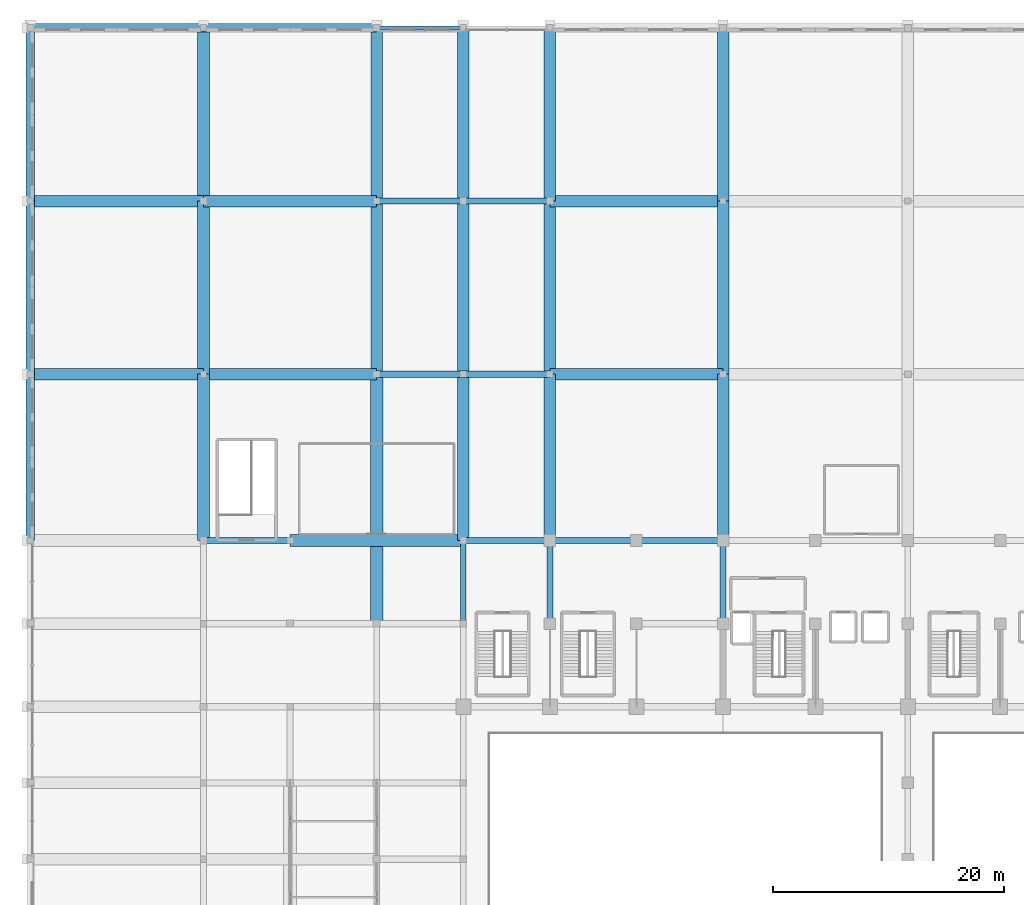
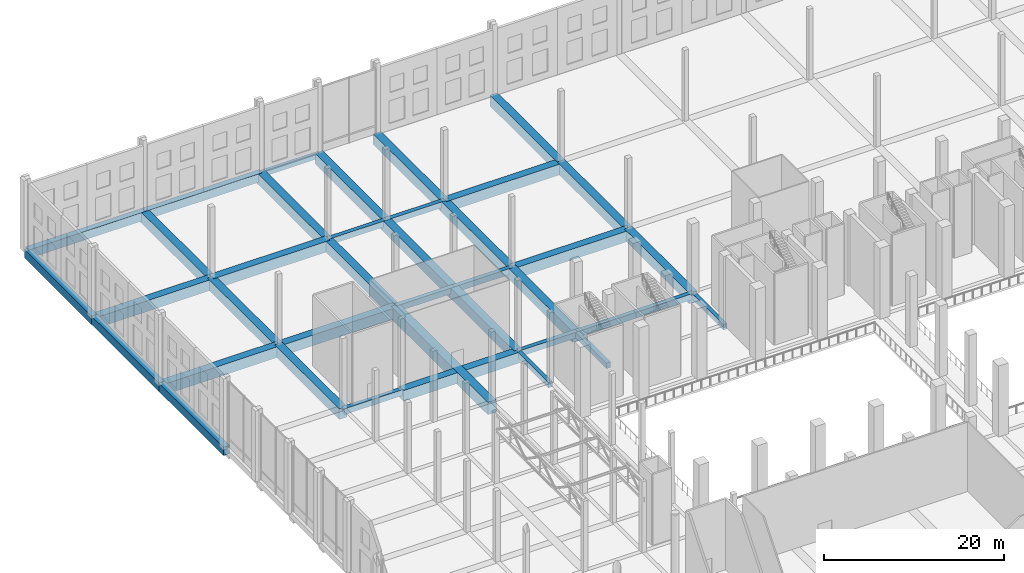
# One storey, part 36 of 80: 39 beams.
"""IFC4 building model written with IfcOpenShell, lengths in metres."""

from ifc_helpers import new_model, si_unit, direction, frame, origin, origin_2d, place, context, subcontext, project, spatial, rectangle, extrude, material, material_profile, profile_set, type_object, element, save


model = new_model("IFC4")

# Units and contexts
model_context = context("Model", 3, precision=1e-05, world=origin(), true_north=direction((0.0, 1.0)))
body_context = subcontext(model_context, "Body", "Model", "MODEL_VIEW")
ifc_project = project(units=[si_unit("LENGTHUNIT", "METRE"), si_unit("AREAUNIT", "SQUARE_METRE"), si_unit("VOLUMEUNIT", "CUBIC_METRE"), si_unit("PLANEANGLEUNIT", "RADIAN"), si_unit("MASSUNIT", "GRAM", prefix="KILO")], contexts=[model_context])

# Site, building, storey
site_placement = place(None, origin())
site = spatial("IfcSite", under=ifc_project, at=site_placement, CompositionType="ELEMENT")
building_placement = place(site_placement, origin())
building = spatial("IfcBuilding", under=site, at=building_placement, Name="Akrevak Sports Hall", CompositionType="ELEMENT")
storey_placement = place(building_placement, frame((0.0, 0.0, 14.0)))
storey = spatial("IfcBuildingStorey", under=building, at=storey_placement, Name="L03", CompositionType="ELEMENT", Elevation=14.0)

# Beams
ifc_material_1 = material(Name="Concrete C50/60", Category="concrete")
ifc_material_profile_1 = material_profile(ifc_material_1, rectangle(XDim=1.0, YDim=1.449951171875, at=origin_2d()), Name="BM 1000x1450", Category="concrete")
ifc_profile_set_1 = profile_set([ifc_material_profile_1], Name="Concrete C50/60")
beam_type_1 = type_object("IfcBeamType", Name="STR-BM-LG1000x1450", PredefinedType="BEAM", material=ifc_profile_set_1)
for number, where, z_axis, x_axis, name in (
    (1, (22.5, 69.60009765625, -0.72509765625), (1.0, 0.0, 0.0), (0.0, 1.0, 0.0), "Girder K/4-6 (L03)"),
    (2, (0.0, 84.0, -0.72509765625), (1.0, 0.0, 0.0), (0.0, 1.0, 0.0), "Girder M/1-3 (L03)"),
    (3, (15.0, 84.0, -0.72509765625), (1.0, 0.0, 0.0), (0.0, 1.0, 0.0), "Girder M/3-5 (L03)"),
    (4, (45.0, 84.0, -0.72509765625), (1.0, 0.0, 0.0), (0.0, 1.0, 0.0), "Girder M/7-9 (L03)"),
    (5, (0.0, 99.0, -0.72509765625), (1.0, 0.0, 0.0), (0.0, 1.0, 0.0), "Girder O/1-3 (L03)"),
    (6, (15.0, 99.0, -0.72509765625), (1.0, 0.0, 0.0), (0.0, 1.0, 0.0), "Girder O/3-5 (L03)"),
    (7, (45.0, 99.0, -0.72509765625), (1.0, 0.0, 0.0), (0.0, 1.0, 0.0), "Girder O/7-9 (L03)"),
):
    element("IfcBeam", number, at=place(storey_placement, frame(where, z_axis=z_axis, x_axis=x_axis)), inside=storey, type_object=beam_type_1, Name=name, PredefinedType="BEAM", context=body_context, shape_type="SweptSolid", body=[
        extrude(rectangle(XDim=1.0, YDim=1.449951171875, at=origin_2d()), origin(), (0.0, 0.0, 1.0), 15.0),
    ])
beam_1_placement = place(storey_placement, frame((15.0, 69.60009765625, -0.72509765625), z_axis=(0.0, 1.0, 0.0), x_axis=(-1.0, 0.0, 0.0)))
element("IfcBeam", 8, at=beam_1_placement, inside=storey, type_object=beam_type_1, Name="Girder 3/K-M (L03)", PredefinedType="BEAM", context=body_context, shape_type="SweptSolid", body=[
    extrude(rectangle(XDim=1.0, YDim=1.449951171875, at=origin_2d()), origin(), (0.0, 0.0, 1.0), 14.39990234375),
])
for number, where, z_axis, x_axis, name in (
    (9, (15.0, 84.0, -0.72509765625), (0.0, 1.0, 0.0), (-1.0, 0.0, 0.0), "Girder 3/M-O (L03)"),
    (10, (15.0, 99.0, -0.72509765625), (0.0, 1.0, 0.0), (-1.0, 0.0, 0.0), "Girder 3/O-Q (L03)"),
    (11, (30.0, 84.0, -0.72509765625), (0.0, 1.0, 0.0), (-1.0, 0.0, 0.0), "Girder 5/M-O (L03)"),
    (12, (30.0, 99.0, -0.72509765625), (0.0, 1.0, 0.0), (-1.0, 0.0, 0.0), "Girder 5/O-Q (L03)"),
):
    element("IfcBeam", number, at=place(storey_placement, frame(where, z_axis=z_axis, x_axis=x_axis)), inside=storey, type_object=beam_type_1, Name=name, PredefinedType="BEAM", context=body_context, shape_type="SweptSolid", body=[
        extrude(rectangle(XDim=1.0, YDim=1.449951171875, at=origin_2d()), origin(), (0.0, 0.0, 1.0), 15.0),
    ])
beam_2_placement = place(storey_placement, frame((37.5, 69.60009765625, -0.72509765625), z_axis=(0.0, 1.0, 0.0), x_axis=(-1.0, 0.0, 0.0)))
element("IfcBeam", 13, at=beam_2_placement, inside=storey, type_object=beam_type_1, Name="Girder 6/K-M (L03)", PredefinedType="BEAM", context=body_context, shape_type="SweptSolid", body=[
    extrude(rectangle(XDim=1.0, YDim=1.449951171875, at=origin_2d()), origin(), (0.0, 0.0, 1.0), 14.39990234375),
])
for number, where, z_axis, x_axis, name in (
    (14, (37.5, 84.0, -0.72509765625), (0.0, 1.0, 0.0), (-1.0, 0.0, 0.0), "Girder 6/M-O (L03)"),
    (15, (37.5, 99.0, -0.72509765625), (0.0, 1.0, 0.0), (-1.0, 0.0, 0.0), "Girder 6/O-Q (L03)"),
):
    element("IfcBeam", number, at=place(storey_placement, frame(where, z_axis=z_axis, x_axis=x_axis)), inside=storey, type_object=beam_type_1, Name=name, PredefinedType="BEAM", context=body_context, shape_type="SweptSolid", body=[
        extrude(rectangle(XDim=1.0, YDim=1.449951171875, at=origin_2d()), origin(), (0.0, 0.0, 1.0), 15.0),
    ])
beam_3_placement = place(storey_placement, frame((45.0, 69.60009765625, -0.72509765625), z_axis=(0.0, 1.0, 0.0), x_axis=(-1.0, 0.0, 0.0)))
element("IfcBeam", 16, at=beam_3_placement, inside=storey, type_object=beam_type_1, Name="Girder 7/K-M (L03)", PredefinedType="BEAM", context=body_context, shape_type="SweptSolid", body=[
    extrude(rectangle(XDim=1.0, YDim=1.449951171875, at=origin_2d()), origin(), (0.0, 0.0, 1.0), 14.39990234375),
])
for number, where, z_axis, x_axis, name in (
    (17, (45.0, 84.0, -0.72509765625), (0.0, 1.0, 0.0), (-1.0, 0.0, 0.0), "Girder 7/M-O (L03)"),
    (18, (45.0, 99.0, -0.72509765625), (0.0, 1.0, 0.0), (-1.0, 0.0, 0.0), "Girder 7/O-Q (L03)"),
):
    element("IfcBeam", number, at=place(storey_placement, frame(where, z_axis=z_axis, x_axis=x_axis)), inside=storey, type_object=beam_type_1, Name=name, PredefinedType="BEAM", context=body_context, shape_type="SweptSolid", body=[
        extrude(rectangle(XDim=1.0, YDim=1.449951171875, at=origin_2d()), origin(), (0.0, 0.0, 1.0), 15.0),
    ])
beam_4_placement = place(storey_placement, frame((60.0, 69.60009765625, -0.72509765625), z_axis=(0.0, 1.0, 0.0), x_axis=(-1.0, 0.0, 0.0)))
element("IfcBeam", 19, at=beam_4_placement, inside=storey, type_object=beam_type_1, Name="Girder 9/K-M (L03)", PredefinedType="BEAM", context=body_context, shape_type="SweptSolid", body=[
    extrude(rectangle(XDim=1.0, YDim=1.449951171875, at=origin_2d()), origin(), (0.0, 0.0, 1.0), 14.39990234375),
])
for number, where, z_axis, x_axis, name in (
    (20, (60.0, 84.0, -0.72509765625), (0.0, 1.0, 0.0), (-1.0, 0.0, 0.0), "Girder 9/M-O (L03)"),
    (21, (60.0, 99.0, -0.72509765625), (0.0, 1.0, 0.0), (-1.0, 0.0, 0.0), "Girder 9/O-Q (L03)"),
):
    element("IfcBeam", number, at=place(storey_placement, frame(where, z_axis=z_axis, x_axis=x_axis)), inside=storey, type_object=beam_type_1, Name=name, PredefinedType="BEAM", context=body_context, shape_type="SweptSolid", body=[
        extrude(rectangle(XDim=1.0, YDim=1.449951171875, at=origin_2d()), origin(), (0.0, 0.0, 1.0), 15.0),
    ])
ifc_material_profile_2 = material_profile(ifc_material_1, rectangle(XDim=1.10009765625, YDim=1.64990234375, at=origin_2d()), Name="BM 1100x1650", Category="concrete")
ifc_profile_set_2 = profile_set([ifc_material_profile_2], Name="Concrete C50/60")
beam_type_2 = type_object("IfcBeamType", Name="STR-BM-LG1100x1650", PredefinedType="BEAM", material=ifc_profile_set_2)
beam_5_placement = place(storey_placement, frame((30.0, 62.39990234375, -0.824951171875), z_axis=(0.0, 1.0, 0.0), x_axis=(-1.0, 0.0, 0.0)))
element("IfcBeam", 22, at=beam_5_placement, inside=storey, type_object=beam_type_2, Name="Girder 5/J-M (L03)", PredefinedType="BEAM", context=body_context, shape_type="SweptSolid", body=[
    extrude(rectangle(XDim=1.10009765625, YDim=1.64990234375, at=origin_2d()), origin(), (0.0, 0.0, 1.0), 21.60009765625),
])
ifc_material_2 = material(Name="Concrete C40/50", Category="concrete")
ifc_material_profile_3 = material_profile(ifc_material_2, rectangle(XDim=0.5, YDim=0.75, at=origin_2d()), Name="BM 500x750", Category="concrete")
ifc_profile_set_3 = profile_set([ifc_material_profile_3], Name="Concrete C40/50")
beam_type_3 = type_object("IfcBeamType", Name="STR-BM-RC500x750", PredefinedType="BEAM", material=ifc_profile_set_3)
for number, where, z_axis, x_axis, name in (
    (23, (37.5, 62.39990234375, -0.375), (0.0, 1.0, 0.0), (-1.0, 0.0, 0.0), "Girder 6/J-K (L03)"),
    (24, (45.0, 62.39990234375, -0.375), (0.0, 1.0, 0.0), (-1.0, 0.0, 0.0), "Girder 7/J-K (L03)"),
    (25, (60.0, 62.39990234375, -0.375), (0.0, 1.0, 0.0), (-1.0, 0.0, 0.0), "Girder 9/J-K (L03)"),
):
    element("IfcBeam", number, at=place(storey_placement, frame(where, z_axis=z_axis, x_axis=x_axis)), inside=storey, type_object=beam_type_3, Name=name, PredefinedType="BEAM", context=body_context, shape_type="SweptSolid", body=[
        extrude(rectangle(XDim=0.5, YDim=0.75, at=origin_2d()), origin(), (0.0, 0.0, 1.0), 7.2001953125),
    ])
ifc_material_profile_4 = material_profile(ifc_material_2, rectangle(XDim=0.550048828125, YDim=0.800048828125, at=origin_2d()), Name="BM 550x800", Category="concrete")
ifc_profile_set_4 = profile_set([ifc_material_profile_4], Name="Concrete C40/50")
beam_type_4 = type_object("IfcBeamType", Name="STR-BM-RC550x800", PredefinedType="BEAM", material=ifc_profile_set_4)
for number, where, z_axis, x_axis, name in (
    (26, (15.0, 69.60009765625, -0.39990234375), (1.0, 0.0, 0.0), (0.0, 1.0, 0.0), "Girder K/3-4 (L03)"),
    (27, (37.5, 69.60009765625, -0.39990234375), (1.0, 0.0, 0.0), (0.0, 1.0, 0.0), "Girder K/6-7 (L03)"),
    (28, (45.0, 69.60009765625, -0.39990234375), (1.0, 0.0, 0.0), (0.0, 1.0, 0.0), "Girder K/7-8 (L03)"),
    (29, (52.5, 69.60009765625, -0.39990234375), (1.0, 0.0, 0.0), (0.0, 1.0, 0.0), "Girder K/8-9 (L03)"),
    (30, (30.0, 84.0, -0.39990234375), (1.0, 0.0, 0.0), (0.0, 1.0, 0.0), "Girder M/5-6 (L03)"),
    (31, (37.5, 84.0, -0.39990234375), (1.0, 0.0, 0.0), (0.0, 1.0, 0.0), "Girder M/6-7 (L03)"),
    (32, (30.0, 99.0, -0.39990234375), (1.0, 0.0, 0.0), (0.0, 1.0, 0.0), "Girder O/5-6 (L03)"),
    (33, (37.5, 99.0, -0.39990234375), (1.0, 0.0, 0.0), (0.0, 1.0, 0.0), "Girder O/6-7 (L03)"),
):
    element("IfcBeam", number, at=place(storey_placement, frame(where, z_axis=z_axis, x_axis=x_axis)), inside=storey, type_object=beam_type_4, Name=name, PredefinedType="BEAM", context=body_context, shape_type="SweptSolid", body=[
        extrude(rectangle(XDim=0.550048828125, YDim=0.800048828125, at=origin_2d()), origin(), (0.0, 0.0, 1.0), 7.5),
    ])
ifc_material_profile_5 = material_profile(ifc_material_1, rectangle(XDim=0.75, YDim=1.14990234375, at=origin_2d()), Name="SPD 750x1150", Category="concrete")
ifc_profile_set_5 = profile_set([ifc_material_profile_5], Name="Concrete C50/60")
beam_type_5 = type_object("IfcBeamType", Name="STR-SPD-LSP750x1150", PredefinedType="SPANDREL", material=ifc_profile_set_5)
for number, where, z_axis, x_axis, name in (
    (34, (0.0, 114.0, -0.574951171875), (1.0, 0.0, 0.0), (0.0, 1.0, 0.0), "Girder Q/1-3 (L03)"),
    (35, (15.0, 114.0, -0.574951171875), (1.0, 0.0, 0.0), (0.0, 1.0, 0.0), "Girder Q/3-5 (L03)"),
):
    element("IfcBeam", number, at=place(storey_placement, frame(where, z_axis=z_axis, x_axis=x_axis)), inside=storey, type_object=beam_type_5, Name=name, PredefinedType="SPANDREL", context=body_context, shape_type="SweptSolid", body=[
        extrude(rectangle(XDim=0.75, YDim=1.14990234375, at=origin_2d()), origin(), (0.0, 0.0, 1.0), 15.0),
    ])
beam_6_placement = place(storey_placement, frame((0.0, 69.60009765625, -0.574951171875), z_axis=(0.0, 1.0, 0.0), x_axis=(-1.0, 0.0, 0.0)))
element("IfcBeam", 36, at=beam_6_placement, inside=storey, type_object=beam_type_5, Name="Girder 1/K-M (L03)", PredefinedType="SPANDREL", context=body_context, shape_type="SweptSolid", body=[
    extrude(rectangle(XDim=0.75, YDim=1.14990234375, at=origin_2d()), origin(), (0.0, 0.0, 1.0), 14.39990234375),
])
for number, where, z_axis, x_axis, name in (
    (37, (0.0, 84.0, -0.574951171875), (0.0, 1.0, 0.0), (-1.0, 0.0, 0.0), "Girder 1/M-O (L03)"),
    (38, (0.0, 99.0, -0.574951171875), (0.0, 1.0, 0.0), (-1.0, 0.0, 0.0), "Girder 1/O-Q (L03)"),
):
    element("IfcBeam", number, at=place(storey_placement, frame(where, z_axis=z_axis, x_axis=x_axis)), inside=storey, type_object=beam_type_5, Name=name, PredefinedType="SPANDREL", context=body_context, shape_type="SweptSolid", body=[
        extrude(rectangle(XDim=0.75, YDim=1.14990234375, at=origin_2d()), origin(), (0.0, 0.0, 1.0), 15.0),
    ])
ifc_material_profile_6 = material_profile(ifc_material_2, rectangle(XDim=0.35009765625, YDim=0.75, at=origin_2d()), Name="SPD 350x750", Category="concrete")
ifc_profile_set_6 = profile_set([ifc_material_profile_6], Name="Concrete C40/50")
beam_type_6 = type_object("IfcBeamType", Name="STR-SPD-RC350x750", PredefinedType="SPANDREL", material=ifc_profile_set_6)
beam_7_placement = place(storey_placement, frame((30.0, 114.0, -0.375), z_axis=(1.0, 0.0, 0.0), x_axis=(0.0, 1.0, 0.0)))
element("IfcBeam", 39, at=beam_7_placement, inside=storey, type_object=beam_type_6, Name="Girder Q/5-6 (L03)", PredefinedType="SPANDREL", context=body_context, shape_type="SweptSolid", body=[
    extrude(rectangle(XDim=0.35009765625, YDim=0.75, at=origin_2d()), origin(), (0.0, 0.0, 1.0), 7.5),
])

save(model, "model.ifc")
